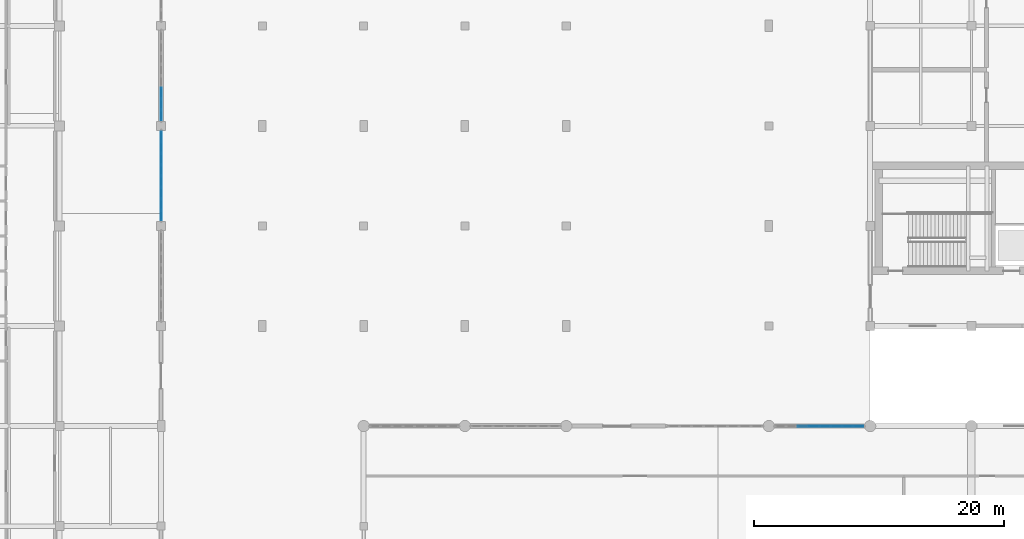
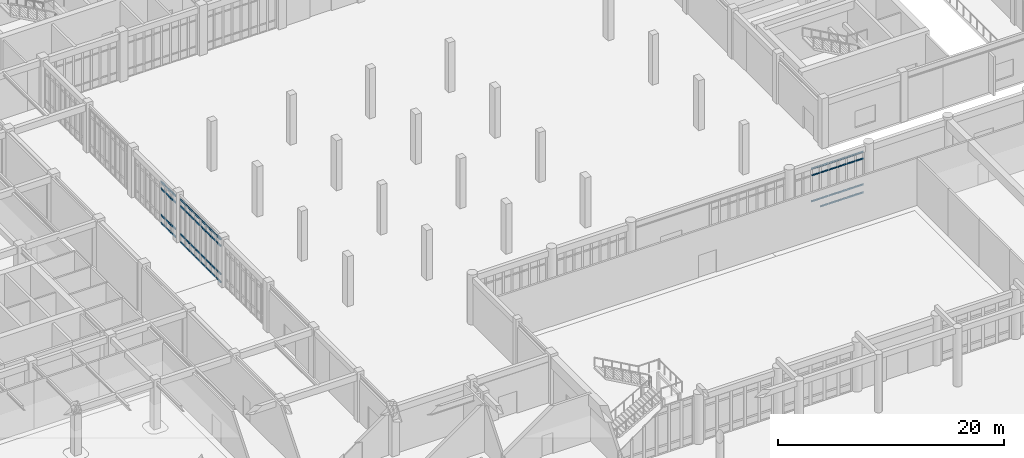
# One storey, part 22 of 62: 67 members, 3 elements without a shape of their own.
"""IFC4 building model written with IfcOpenShell, lengths in metres."""

from ifc_helpers import new_model, si_unit, direction, frame, origin, origin_2d, place, context, subcontext, project, spatial, rectangle, extrude, material, material_profile, profile_set, type_object, element, aggregate, save


model = new_model("IFC4")

# Units and contexts
model_context = context("Model", 3, precision=1e-05, world=origin(), true_north=direction((0.0, 1.0)))
body_context = subcontext(model_context, "Body", "Model", "MODEL_VIEW")
ifc_project = project(units=[si_unit("LENGTHUNIT", "METRE"), si_unit("AREAUNIT", "SQUARE_METRE"), si_unit("VOLUMEUNIT", "CUBIC_METRE"), si_unit("PLANEANGLEUNIT", "RADIAN"), si_unit("MASSUNIT", "GRAM", prefix="KILO")], contexts=[model_context])

# Site, building, storey
site_placement = place(None, origin())
site = spatial("IfcSite", under=ifc_project, at=site_placement, CompositionType="ELEMENT")
building_placement = place(site_placement, origin())
building = spatial("IfcBuilding", under=site, at=building_placement, Name="Tarnveldt Square Police Headquarters", CompositionType="ELEMENT")
storey_placement = place(building_placement, origin())
storey = spatial("IfcBuildingStorey", under=building, at=storey_placement, Name="L00", CompositionType="ELEMENT", Elevation=0.0)

# Curtain wall, members
ifc_material_1 = material(Name="Triple-glazed low-e laminated vision glass", Category="glass")
curtain_wall_type_1 = type_object("IfcCurtainWallType", Name="CW-CT-717x446", PredefinedType="USERDEFINED", material=ifc_material_1)
curtain_wall_1_placement = place(storey_placement, origin())
curtain_wall_1 = element("IfcCurtainWall", 1, at=curtain_wall_1_placement, inside=storey, type_object=curtain_wall_type_1, Name="L00 Curtain Wall CW-L00-017", ObjectType="GLAZED CURTAIN WALL", PredefinedType="USERDEFINED")
ifc_material_2 = material(Name="Thermally broken anodised aluminium 6063-T6", Category="aluminium")
ifc_material_profile = material_profile(ifc_material_2, rectangle(XDim=0.074951171875, YDim=0.14990234375, at=origin_2d()), Name="CW-T75x150")
ifc_profile_set = profile_set([ifc_material_profile], Name="Thermally broken anodised aluminium 6063-T6")
member_type = type_object("IfcMemberType", Name="CWT-75x150", PredefinedType="USERDEFINED", material=ifc_profile_set)
member_1_placement = place(storey_placement, frame((99.4951171875, 48.0, 0.89990234375), z_axis=(1.0, 0.0, 0.0), x_axis=(0.0, 1.0, 0.0)))
member_1 = element("IfcMember", 2, at=member_1_placement, type_object=member_type, Name="CW-CT06 transom 3.2", ObjectType="TRANSOM", PredefinedType="USERDEFINED", context=body_context, shape_type="SweptSolid", body=[
    extrude(rectangle(XDim=0.074951171875, YDim=0.14990234375, at=origin_2d()), origin(), (0.0, 0.0, 1.0), 0.821044921875),
])
member_2_placement = place(storey_placement, frame((99.4951171875, 48.0, 3.7119140625), z_axis=(1.0, 0.0, 0.0), x_axis=(0.0, 1.0, 0.0)))
member_2 = element("IfcMember", 3, at=member_2_placement, type_object=member_type, Name="CW-CT06 transom 3.3", ObjectType="TRANSOM", PredefinedType="USERDEFINED", context=body_context, shape_type="SweptSolid", body=[
    extrude(rectangle(XDim=0.074951171875, YDim=0.14990234375, at=origin_2d()), origin(), (0.0, 0.0, 1.0), 0.821044921875),
])
member_3_placement = place(storey_placement, frame((99.4951171875, 48.0, 4.424560546875), z_axis=(1.0, 0.0, 0.0), x_axis=(0.0, 1.0, 0.0)))
member_3 = element("IfcMember", 4, at=member_3_placement, type_object=member_type, Name="CW-CT06 transom 3.4", ObjectType="TRANSOM", PredefinedType="USERDEFINED", context=body_context, shape_type="SweptSolid", body=[
    extrude(rectangle(XDim=0.074951171875, YDim=0.14990234375, at=origin_2d()), origin(), (0.0, 0.0, 1.0), 0.821044921875),
])
member_4_placement = place(storey_placement, frame((100.391357421875, 48.0, 0.03759765625), z_axis=(1.0, 0.0, 0.0), x_axis=(0.0, 1.0, 0.0)))
member_4 = element("IfcMember", 5, at=member_4_placement, type_object=member_type, Name="CW-CT06 transom 4.1", ObjectType="TRANSOM", PredefinedType="USERDEFINED", context=body_context, shape_type="SweptSolid", body=[
    extrude(rectangle(XDim=0.074951171875, YDim=0.14990234375, at=origin_2d()), origin(), (0.0, 0.0, 1.0), 0.821044921875),
])
member_5_placement = place(storey_placement, frame((100.391357421875, 48.0, 0.89990234375), z_axis=(1.0, 0.0, 0.0), x_axis=(0.0, 1.0, 0.0)))
member_5 = element("IfcMember", 6, at=member_5_placement, type_object=member_type, Name="CW-CT06 transom 4.2", ObjectType="TRANSOM", PredefinedType="USERDEFINED", context=body_context, shape_type="SweptSolid", body=[
    extrude(rectangle(XDim=0.074951171875, YDim=0.14990234375, at=origin_2d()), origin(), (0.0, 0.0, 1.0), 0.821044921875),
])
member_6_placement = place(storey_placement, frame((100.391357421875, 48.0, 3.7119140625), z_axis=(1.0, 0.0, 0.0), x_axis=(0.0, 1.0, 0.0)))
member_6 = element("IfcMember", 7, at=member_6_placement, type_object=member_type, Name="CW-CT06 transom 4.3", ObjectType="TRANSOM", PredefinedType="USERDEFINED", context=body_context, shape_type="SweptSolid", body=[
    extrude(rectangle(XDim=0.074951171875, YDim=0.14990234375, at=origin_2d()), origin(), (0.0, 0.0, 1.0), 0.821044921875),
])
member_7_placement = place(storey_placement, frame((100.391357421875, 48.0, 4.424560546875), z_axis=(1.0, 0.0, 0.0), x_axis=(0.0, 1.0, 0.0)))
member_7 = element("IfcMember", 8, at=member_7_placement, type_object=member_type, Name="CW-CT06 transom 4.4", ObjectType="TRANSOM", PredefinedType="USERDEFINED", context=body_context, shape_type="SweptSolid", body=[
    extrude(rectangle(XDim=0.074951171875, YDim=0.14990234375, at=origin_2d()), origin(), (0.0, 0.0, 1.0), 0.821044921875),
])
member_8_placement = place(storey_placement, frame((101.28759765625, 48.0, 0.03759765625), z_axis=(1.0, 0.0, 0.0), x_axis=(0.0, 1.0, 0.0)))
member_8 = element("IfcMember", 9, at=member_8_placement, type_object=member_type, Name="CW-CT06 transom 5.1", ObjectType="TRANSOM", PredefinedType="USERDEFINED", context=body_context, shape_type="SweptSolid", body=[
    extrude(rectangle(XDim=0.074951171875, YDim=0.14990234375, at=origin_2d()), origin(), (0.0, 0.0, 1.0), 0.821044921875),
])
member_9_placement = place(storey_placement, frame((101.28759765625, 48.0, 0.89990234375), z_axis=(1.0, 0.0, 0.0), x_axis=(0.0, 1.0, 0.0)))
member_9 = element("IfcMember", 10, at=member_9_placement, type_object=member_type, Name="CW-CT06 transom 5.2", ObjectType="TRANSOM", PredefinedType="USERDEFINED", context=body_context, shape_type="SweptSolid", body=[
    extrude(rectangle(XDim=0.074951171875, YDim=0.14990234375, at=origin_2d()), origin(), (0.0, 0.0, 1.0), 0.821044921875),
])
member_10_placement = place(storey_placement, frame((101.28759765625, 48.0, 3.7119140625), z_axis=(1.0, 0.0, 0.0), x_axis=(0.0, 1.0, 0.0)))
member_10 = element("IfcMember", 11, at=member_10_placement, type_object=member_type, Name="CW-CT06 transom 5.3", ObjectType="TRANSOM", PredefinedType="USERDEFINED", context=body_context, shape_type="SweptSolid", body=[
    extrude(rectangle(XDim=0.074951171875, YDim=0.14990234375, at=origin_2d()), origin(), (0.0, 0.0, 1.0), 0.821044921875),
])
member_11_placement = place(storey_placement, frame((101.28759765625, 48.0, 4.424560546875), z_axis=(1.0, 0.0, 0.0), x_axis=(0.0, 1.0, 0.0)))
member_11 = element("IfcMember", 12, at=member_11_placement, type_object=member_type, Name="CW-CT06 transom 5.4", ObjectType="TRANSOM", PredefinedType="USERDEFINED", context=body_context, shape_type="SweptSolid", body=[
    extrude(rectangle(XDim=0.074951171875, YDim=0.14990234375, at=origin_2d()), origin(), (0.0, 0.0, 1.0), 0.821044921875),
])
member_12_placement = place(storey_placement, frame((102.183837890625, 48.0, 0.03759765625), z_axis=(1.0, 0.0, 0.0), x_axis=(0.0, 1.0, 0.0)))
member_12 = element("IfcMember", 13, at=member_12_placement, type_object=member_type, Name="CW-CT06 transom 6.1", ObjectType="TRANSOM", PredefinedType="USERDEFINED", context=body_context, shape_type="SweptSolid", body=[
    extrude(rectangle(XDim=0.074951171875, YDim=0.14990234375, at=origin_2d()), origin(), (0.0, 0.0, 1.0), 0.821044921875),
])
member_13_placement = place(storey_placement, frame((102.183837890625, 48.0, 0.89990234375), z_axis=(1.0, 0.0, 0.0), x_axis=(0.0, 1.0, 0.0)))
member_13 = element("IfcMember", 14, at=member_13_placement, type_object=member_type, Name="CW-CT06 transom 6.2", ObjectType="TRANSOM", PredefinedType="USERDEFINED", context=body_context, shape_type="SweptSolid", body=[
    extrude(rectangle(XDim=0.074951171875, YDim=0.14990234375, at=origin_2d()), origin(), (0.0, 0.0, 1.0), 0.821044921875),
])
member_14_placement = place(storey_placement, frame((102.183837890625, 48.0, 3.7119140625), z_axis=(1.0, 0.0, 0.0), x_axis=(0.0, 1.0, 0.0)))
member_14 = element("IfcMember", 15, at=member_14_placement, type_object=member_type, Name="CW-CT06 transom 6.3", ObjectType="TRANSOM", PredefinedType="USERDEFINED", context=body_context, shape_type="SweptSolid", body=[
    extrude(rectangle(XDim=0.074951171875, YDim=0.14990234375, at=origin_2d()), origin(), (0.0, 0.0, 1.0), 0.821044921875),
])
member_15_placement = place(storey_placement, frame((102.183837890625, 48.0, 4.424560546875), z_axis=(1.0, 0.0, 0.0), x_axis=(0.0, 1.0, 0.0)))
member_15 = element("IfcMember", 16, at=member_15_placement, type_object=member_type, Name="CW-CT06 transom 6.4", ObjectType="TRANSOM", PredefinedType="USERDEFINED", context=body_context, shape_type="SweptSolid", body=[
    extrude(rectangle(XDim=0.074951171875, YDim=0.14990234375, at=origin_2d()), origin(), (0.0, 0.0, 1.0), 0.821044921875),
])
member_16_placement = place(storey_placement, frame((103.080078125, 48.0, 0.03759765625), z_axis=(1.0, 0.0, 0.0), x_axis=(0.0, 1.0, 0.0)))
member_16 = element("IfcMember", 17, at=member_16_placement, type_object=member_type, Name="CW-CT06 transom 7.1", ObjectType="TRANSOM", PredefinedType="USERDEFINED", context=body_context, shape_type="SweptSolid", body=[
    extrude(rectangle(XDim=0.074951171875, YDim=0.14990234375, at=origin_2d()), origin(), (0.0, 0.0, 1.0), 0.8212890625),
])
member_17_placement = place(storey_placement, frame((103.080078125, 48.0, 0.89990234375), z_axis=(1.0, 0.0, 0.0), x_axis=(0.0, 1.0, 0.0)))
member_17 = element("IfcMember", 18, at=member_17_placement, type_object=member_type, Name="CW-CT06 transom 7.2", ObjectType="TRANSOM", PredefinedType="USERDEFINED", context=body_context, shape_type="SweptSolid", body=[
    extrude(rectangle(XDim=0.074951171875, YDim=0.14990234375, at=origin_2d()), origin(), (0.0, 0.0, 1.0), 0.8212890625),
])
member_18_placement = place(storey_placement, frame((103.080078125, 48.0, 3.7119140625), z_axis=(1.0, 0.0, 0.0), x_axis=(0.0, 1.0, 0.0)))
member_18 = element("IfcMember", 19, at=member_18_placement, type_object=member_type, Name="CW-CT06 transom 7.3", ObjectType="TRANSOM", PredefinedType="USERDEFINED", context=body_context, shape_type="SweptSolid", body=[
    extrude(rectangle(XDim=0.074951171875, YDim=0.14990234375, at=origin_2d()), origin(), (0.0, 0.0, 1.0), 0.8212890625),
])
member_19_placement = place(storey_placement, frame((103.080078125, 48.0, 4.424560546875), z_axis=(1.0, 0.0, 0.0), x_axis=(0.0, 1.0, 0.0)))
member_19 = element("IfcMember", 20, at=member_19_placement, type_object=member_type, Name="CW-CT06 transom 7.4", ObjectType="TRANSOM", PredefinedType="USERDEFINED", context=body_context, shape_type="SweptSolid", body=[
    extrude(rectangle(XDim=0.074951171875, YDim=0.14990234375, at=origin_2d()), origin(), (0.0, 0.0, 1.0), 0.8212890625),
])
member_20_placement = place(storey_placement, frame((103.976318359375, 48.0, 0.03759765625), z_axis=(1.0, 0.0, 0.0), x_axis=(0.0, 1.0, 0.0)))
member_20 = element("IfcMember", 21, at=member_20_placement, type_object=member_type, Name="CW-CT06 transom 8.1", ObjectType="TRANSOM", PredefinedType="USERDEFINED", context=body_context, shape_type="SweptSolid", body=[
    extrude(rectangle(XDim=0.074951171875, YDim=0.14990234375, at=origin_2d()), origin(), (0.0, 0.0, 1.0), 0.78369140625),
])
member_21_placement = place(storey_placement, frame((103.976318359375, 48.0, 0.89990234375), z_axis=(1.0, 0.0, 0.0), x_axis=(0.0, 1.0, 0.0)))
member_21 = element("IfcMember", 22, at=member_21_placement, type_object=member_type, Name="CW-CT06 transom 8.2", ObjectType="TRANSOM", PredefinedType="USERDEFINED", context=body_context, shape_type="SweptSolid", body=[
    extrude(rectangle(XDim=0.074951171875, YDim=0.14990234375, at=origin_2d()), origin(), (0.0, 0.0, 1.0), 0.78369140625),
])
member_22_placement = place(storey_placement, frame((103.976318359375, 48.0, 3.7119140625), z_axis=(1.0, 0.0, 0.0), x_axis=(0.0, 1.0, 0.0)))
member_22 = element("IfcMember", 23, at=member_22_placement, type_object=member_type, Name="CW-CT06 transom 8.3", ObjectType="TRANSOM", PredefinedType="USERDEFINED", context=body_context, shape_type="SweptSolid", body=[
    extrude(rectangle(XDim=0.074951171875, YDim=0.14990234375, at=origin_2d()), origin(), (0.0, 0.0, 1.0), 0.78369140625),
])
member_23_placement = place(storey_placement, frame((103.976318359375, 48.0, 4.424560546875), z_axis=(1.0, 0.0, 0.0), x_axis=(0.0, 1.0, 0.0)))
member_23 = element("IfcMember", 24, at=member_23_placement, type_object=member_type, Name="CW-CT06 transom 8.4", ObjectType="TRANSOM", PredefinedType="USERDEFINED", context=body_context, shape_type="SweptSolid", body=[
    extrude(rectangle(XDim=0.074951171875, YDim=0.14990234375, at=origin_2d()), origin(), (0.0, 0.0, 1.0), 0.78369140625),
])
aggregate(curtain_wall_1, [member_1, member_2, member_3, member_4, member_5, member_6, member_7, member_8, member_9, member_10, member_11, member_12, member_13, member_14, member_15, member_16, member_17, member_18, member_19, member_20, member_21, member_22, member_23])

curtain_wall_type_2 = type_object("IfcCurtainWallType", Name="CW-WG-727x470", PredefinedType="USERDEFINED", material=ifc_material_1)
curtain_wall_2_placement = place(storey_placement, origin())
curtain_wall_2 = element("IfcCurtainWall", 25, at=curtain_wall_2_placement, inside=storey, type_object=curtain_wall_type_2, Name="L00 Curtain Wall CW-L00-063", ObjectType="GLAZED CURTAIN WALL", PredefinedType="USERDEFINED")
member_24_placement = place(storey_placement, frame((48.60009765625, 64.449951171875, 0.03759765625), z_axis=(0.0, 1.0, 0.0), x_axis=(-1.0, 0.0, 0.0)))
member_24 = element("IfcMember", 26, at=member_24_placement, type_object=member_type, Name="CW-WG25 transom 1.1", ObjectType="TRANSOM", PredefinedType="USERDEFINED", context=body_context, shape_type="SweptSolid", body=[
    extrude(rectangle(XDim=0.074951171875, YDim=0.14990234375, at=origin_2d()), origin(), (0.0, 0.0, 1.0), 0.78125),
])
member_25_placement = place(storey_placement, frame((48.60009765625, 64.449951171875, 0.89990234375), z_axis=(0.0, 1.0, 0.0), x_axis=(-1.0, 0.0, 0.0)))
member_25 = element("IfcMember", 27, at=member_25_placement, type_object=member_type, Name="CW-WG25 transom 1.2", ObjectType="TRANSOM", PredefinedType="USERDEFINED", context=body_context, shape_type="SweptSolid", body=[
    extrude(rectangle(XDim=0.074951171875, YDim=0.14990234375, at=origin_2d()), origin(), (0.0, 0.0, 1.0), 0.78125),
])
member_26_placement = place(storey_placement, frame((48.60009765625, 64.449951171875, 3.945068359375), z_axis=(0.0, 1.0, 0.0), x_axis=(-1.0, 0.0, 0.0)))
member_26 = element("IfcMember", 28, at=member_26_placement, type_object=member_type, Name="CW-WG25 transom 1.3", ObjectType="TRANSOM", PredefinedType="USERDEFINED", context=body_context, shape_type="SweptSolid", body=[
    extrude(rectangle(XDim=0.074951171875, YDim=0.14990234375, at=origin_2d()), origin(), (0.0, 0.0, 1.0), 0.78125),
])
member_27_placement = place(storey_placement, frame((48.60009765625, 64.449951171875, 4.657470703125), z_axis=(0.0, 1.0, 0.0), x_axis=(-1.0, 0.0, 0.0)))
member_27 = element("IfcMember", 29, at=member_27_placement, type_object=member_type, Name="CW-WG25 transom 1.4", ObjectType="TRANSOM", PredefinedType="USERDEFINED", context=body_context, shape_type="SweptSolid", body=[
    extrude(rectangle(XDim=0.074951171875, YDim=0.14990234375, at=origin_2d()), origin(), (0.0, 0.0, 1.0), 0.78125),
])
member_28_placement = place(storey_placement, frame((48.60009765625, 65.316162109375, 0.03759765625), z_axis=(0.0, 1.0, 0.0), x_axis=(-1.0, 0.0, 0.0)))
member_28 = element("IfcMember", 30, at=member_28_placement, type_object=member_type, Name="CW-WG25 transom 2.1", ObjectType="TRANSOM", PredefinedType="USERDEFINED", context=body_context, shape_type="SweptSolid", body=[
    extrude(rectangle(XDim=0.074951171875, YDim=0.14990234375, at=origin_2d()), origin(), (0.0, 0.0, 1.0), 0.82373046875),
])
member_29_placement = place(storey_placement, frame((48.60009765625, 65.316162109375, 0.89990234375), z_axis=(0.0, 1.0, 0.0), x_axis=(-1.0, 0.0, 0.0)))
member_29 = element("IfcMember", 31, at=member_29_placement, type_object=member_type, Name="CW-WG25 transom 2.2", ObjectType="TRANSOM", PredefinedType="USERDEFINED", context=body_context, shape_type="SweptSolid", body=[
    extrude(rectangle(XDim=0.074951171875, YDim=0.14990234375, at=origin_2d()), origin(), (0.0, 0.0, 1.0), 0.82373046875),
])
member_30_placement = place(storey_placement, frame((48.60009765625, 65.316162109375, 3.945068359375), z_axis=(0.0, 1.0, 0.0), x_axis=(-1.0, 0.0, 0.0)))
member_30 = element("IfcMember", 32, at=member_30_placement, type_object=member_type, Name="CW-WG25 transom 2.3", ObjectType="TRANSOM", PredefinedType="USERDEFINED", context=body_context, shape_type="SweptSolid", body=[
    extrude(rectangle(XDim=0.074951171875, YDim=0.14990234375, at=origin_2d()), origin(), (0.0, 0.0, 1.0), 0.82373046875),
])
member_31_placement = place(storey_placement, frame((48.60009765625, 65.316162109375, 4.657470703125), z_axis=(0.0, 1.0, 0.0), x_axis=(-1.0, 0.0, 0.0)))
member_31 = element("IfcMember", 33, at=member_31_placement, type_object=member_type, Name="CW-WG25 transom 2.4", ObjectType="TRANSOM", PredefinedType="USERDEFINED", context=body_context, shape_type="SweptSolid", body=[
    extrude(rectangle(XDim=0.074951171875, YDim=0.14990234375, at=origin_2d()), origin(), (0.0, 0.0, 1.0), 0.82373046875),
])
member_32_placement = place(storey_placement, frame((48.60009765625, 66.22509765625, 0.03759765625), z_axis=(0.0, 1.0, 0.0), x_axis=(-1.0, 0.0, 0.0)))
member_32 = element("IfcMember", 34, at=member_32_placement, type_object=member_type, Name="CW-WG25 transom 3.1", ObjectType="TRANSOM", PredefinedType="USERDEFINED", context=body_context, shape_type="SweptSolid", body=[
    extrude(rectangle(XDim=0.074951171875, YDim=0.14990234375, at=origin_2d()), origin(), (0.0, 0.0, 1.0), 0.82373046875),
])
member_33_placement = place(storey_placement, frame((48.60009765625, 66.22509765625, 0.89990234375), z_axis=(0.0, 1.0, 0.0), x_axis=(-1.0, 0.0, 0.0)))
member_33 = element("IfcMember", 35, at=member_33_placement, type_object=member_type, Name="CW-WG25 transom 3.2", ObjectType="TRANSOM", PredefinedType="USERDEFINED", context=body_context, shape_type="SweptSolid", body=[
    extrude(rectangle(XDim=0.074951171875, YDim=0.14990234375, at=origin_2d()), origin(), (0.0, 0.0, 1.0), 0.82373046875),
])
member_34_placement = place(storey_placement, frame((48.60009765625, 66.22509765625, 3.945068359375), z_axis=(0.0, 1.0, 0.0), x_axis=(-1.0, 0.0, 0.0)))
member_34 = element("IfcMember", 36, at=member_34_placement, type_object=member_type, Name="CW-WG25 transom 3.3", ObjectType="TRANSOM", PredefinedType="USERDEFINED", context=body_context, shape_type="SweptSolid", body=[
    extrude(rectangle(XDim=0.074951171875, YDim=0.14990234375, at=origin_2d()), origin(), (0.0, 0.0, 1.0), 0.82373046875),
])
member_35_placement = place(storey_placement, frame((48.60009765625, 66.22509765625, 4.657470703125), z_axis=(0.0, 1.0, 0.0), x_axis=(-1.0, 0.0, 0.0)))
member_35 = element("IfcMember", 37, at=member_35_placement, type_object=member_type, Name="CW-WG25 transom 3.4", ObjectType="TRANSOM", PredefinedType="USERDEFINED", context=body_context, shape_type="SweptSolid", body=[
    extrude(rectangle(XDim=0.074951171875, YDim=0.14990234375, at=origin_2d()), origin(), (0.0, 0.0, 1.0), 0.82373046875),
])
member_36_placement = place(storey_placement, frame((48.60009765625, 67.1337890625, 0.03759765625), z_axis=(0.0, 1.0, 0.0), x_axis=(-1.0, 0.0, 0.0)))
member_36 = element("IfcMember", 38, at=member_36_placement, type_object=member_type, Name="CW-WG25 transom 4.1", ObjectType="TRANSOM", PredefinedType="USERDEFINED", context=body_context, shape_type="SweptSolid", body=[
    extrude(rectangle(XDim=0.074951171875, YDim=0.14990234375, at=origin_2d()), origin(), (0.0, 0.0, 1.0), 0.82373046875),
])
member_37_placement = place(storey_placement, frame((48.60009765625, 67.1337890625, 0.89990234375), z_axis=(0.0, 1.0, 0.0), x_axis=(-1.0, 0.0, 0.0)))
member_37 = element("IfcMember", 39, at=member_37_placement, type_object=member_type, Name="CW-WG25 transom 4.2", ObjectType="TRANSOM", PredefinedType="USERDEFINED", context=body_context, shape_type="SweptSolid", body=[
    extrude(rectangle(XDim=0.074951171875, YDim=0.14990234375, at=origin_2d()), origin(), (0.0, 0.0, 1.0), 0.82373046875),
])
member_38_placement = place(storey_placement, frame((48.60009765625, 67.1337890625, 3.945068359375), z_axis=(0.0, 1.0, 0.0), x_axis=(-1.0, 0.0, 0.0)))
member_38 = element("IfcMember", 40, at=member_38_placement, type_object=member_type, Name="CW-WG25 transom 4.3", ObjectType="TRANSOM", PredefinedType="USERDEFINED", context=body_context, shape_type="SweptSolid", body=[
    extrude(rectangle(XDim=0.074951171875, YDim=0.14990234375, at=origin_2d()), origin(), (0.0, 0.0, 1.0), 0.82373046875),
])
member_39_placement = place(storey_placement, frame((48.60009765625, 67.1337890625, 4.657470703125), z_axis=(0.0, 1.0, 0.0), x_axis=(-1.0, 0.0, 0.0)))
member_39 = element("IfcMember", 41, at=member_39_placement, type_object=member_type, Name="CW-WG25 transom 4.4", ObjectType="TRANSOM", PredefinedType="USERDEFINED", context=body_context, shape_type="SweptSolid", body=[
    extrude(rectangle(XDim=0.074951171875, YDim=0.14990234375, at=origin_2d()), origin(), (0.0, 0.0, 1.0), 0.82373046875),
])
member_40_placement = place(storey_placement, frame((48.60009765625, 68.04248046875, 0.03759765625), z_axis=(0.0, 1.0, 0.0), x_axis=(-1.0, 0.0, 0.0)))
member_40 = element("IfcMember", 42, at=member_40_placement, type_object=member_type, Name="CW-WG25 transom 5.1", ObjectType="TRANSOM", PredefinedType="USERDEFINED", context=body_context, shape_type="SweptSolid", body=[
    extrude(rectangle(XDim=0.074951171875, YDim=0.14990234375, at=origin_2d()), origin(), (0.0, 0.0, 1.0), 0.82373046875),
])
member_41_placement = place(storey_placement, frame((48.60009765625, 68.04248046875, 0.89990234375), z_axis=(0.0, 1.0, 0.0), x_axis=(-1.0, 0.0, 0.0)))
member_41 = element("IfcMember", 43, at=member_41_placement, type_object=member_type, Name="CW-WG25 transom 5.2", ObjectType="TRANSOM", PredefinedType="USERDEFINED", context=body_context, shape_type="SweptSolid", body=[
    extrude(rectangle(XDim=0.074951171875, YDim=0.14990234375, at=origin_2d()), origin(), (0.0, 0.0, 1.0), 0.82373046875),
])
member_42_placement = place(storey_placement, frame((48.60009765625, 68.04248046875, 3.945068359375), z_axis=(0.0, 1.0, 0.0), x_axis=(-1.0, 0.0, 0.0)))
member_42 = element("IfcMember", 44, at=member_42_placement, type_object=member_type, Name="CW-WG25 transom 5.3", ObjectType="TRANSOM", PredefinedType="USERDEFINED", context=body_context, shape_type="SweptSolid", body=[
    extrude(rectangle(XDim=0.074951171875, YDim=0.14990234375, at=origin_2d()), origin(), (0.0, 0.0, 1.0), 0.82373046875),
])
member_43_placement = place(storey_placement, frame((48.60009765625, 68.04248046875, 4.657470703125), z_axis=(0.0, 1.0, 0.0), x_axis=(-1.0, 0.0, 0.0)))
member_43 = element("IfcMember", 45, at=member_43_placement, type_object=member_type, Name="CW-WG25 transom 5.4", ObjectType="TRANSOM", PredefinedType="USERDEFINED", context=body_context, shape_type="SweptSolid", body=[
    extrude(rectangle(XDim=0.074951171875, YDim=0.14990234375, at=origin_2d()), origin(), (0.0, 0.0, 1.0), 0.82373046875),
])
member_44_placement = place(storey_placement, frame((48.60009765625, 68.951171875, 0.03759765625), z_axis=(0.0, 1.0, 0.0), x_axis=(-1.0, 0.0, 0.0)))
member_44 = element("IfcMember", 46, at=member_44_placement, type_object=member_type, Name="CW-WG25 transom 6.1", ObjectType="TRANSOM", PredefinedType="USERDEFINED", context=body_context, shape_type="SweptSolid", body=[
    extrude(rectangle(XDim=0.074951171875, YDim=0.14990234375, at=origin_2d()), origin(), (0.0, 0.0, 1.0), 0.82373046875),
])
member_45_placement = place(storey_placement, frame((48.60009765625, 68.951171875, 0.89990234375), z_axis=(0.0, 1.0, 0.0), x_axis=(-1.0, 0.0, 0.0)))
member_45 = element("IfcMember", 47, at=member_45_placement, type_object=member_type, Name="CW-WG25 transom 6.2", ObjectType="TRANSOM", PredefinedType="USERDEFINED", context=body_context, shape_type="SweptSolid", body=[
    extrude(rectangle(XDim=0.074951171875, YDim=0.14990234375, at=origin_2d()), origin(), (0.0, 0.0, 1.0), 0.82373046875),
])
member_46_placement = place(storey_placement, frame((48.60009765625, 68.951171875, 3.945068359375), z_axis=(0.0, 1.0, 0.0), x_axis=(-1.0, 0.0, 0.0)))
member_46 = element("IfcMember", 48, at=member_46_placement, type_object=member_type, Name="CW-WG25 transom 6.3", ObjectType="TRANSOM", PredefinedType="USERDEFINED", context=body_context, shape_type="SweptSolid", body=[
    extrude(rectangle(XDim=0.074951171875, YDim=0.14990234375, at=origin_2d()), origin(), (0.0, 0.0, 1.0), 0.82373046875),
])
member_47_placement = place(storey_placement, frame((48.60009765625, 68.951171875, 4.657470703125), z_axis=(0.0, 1.0, 0.0), x_axis=(-1.0, 0.0, 0.0)))
member_47 = element("IfcMember", 49, at=member_47_placement, type_object=member_type, Name="CW-WG25 transom 6.4", ObjectType="TRANSOM", PredefinedType="USERDEFINED", context=body_context, shape_type="SweptSolid", body=[
    extrude(rectangle(XDim=0.074951171875, YDim=0.14990234375, at=origin_2d()), origin(), (0.0, 0.0, 1.0), 0.82373046875),
])
member_48_placement = place(storey_placement, frame((48.60009765625, 69.860107421875, 0.03759765625), z_axis=(0.0, 1.0, 0.0), x_axis=(-1.0, 0.0, 0.0)))
member_48 = element("IfcMember", 50, at=member_48_placement, type_object=member_type, Name="CW-WG25 transom 7.1", ObjectType="TRANSOM", PredefinedType="USERDEFINED", context=body_context, shape_type="SweptSolid", body=[
    extrude(rectangle(XDim=0.074951171875, YDim=0.14990234375, at=origin_2d()), origin(), (0.0, 0.0, 1.0), 0.82373046875),
])
member_49_placement = place(storey_placement, frame((48.60009765625, 69.860107421875, 0.89990234375), z_axis=(0.0, 1.0, 0.0), x_axis=(-1.0, 0.0, 0.0)))
member_49 = element("IfcMember", 51, at=member_49_placement, type_object=member_type, Name="CW-WG25 transom 7.2", ObjectType="TRANSOM", PredefinedType="USERDEFINED", context=body_context, shape_type="SweptSolid", body=[
    extrude(rectangle(XDim=0.074951171875, YDim=0.14990234375, at=origin_2d()), origin(), (0.0, 0.0, 1.0), 0.82373046875),
])
member_50_placement = place(storey_placement, frame((48.60009765625, 69.860107421875, 3.945068359375), z_axis=(0.0, 1.0, 0.0), x_axis=(-1.0, 0.0, 0.0)))
member_50 = element("IfcMember", 52, at=member_50_placement, type_object=member_type, Name="CW-WG25 transom 7.3", ObjectType="TRANSOM", PredefinedType="USERDEFINED", context=body_context, shape_type="SweptSolid", body=[
    extrude(rectangle(XDim=0.074951171875, YDim=0.14990234375, at=origin_2d()), origin(), (0.0, 0.0, 1.0), 0.82373046875),
])
member_51_placement = place(storey_placement, frame((48.60009765625, 69.860107421875, 4.657470703125), z_axis=(0.0, 1.0, 0.0), x_axis=(-1.0, 0.0, 0.0)))
member_51 = element("IfcMember", 53, at=member_51_placement, type_object=member_type, Name="CW-WG25 transom 7.4", ObjectType="TRANSOM", PredefinedType="USERDEFINED", context=body_context, shape_type="SweptSolid", body=[
    extrude(rectangle(XDim=0.074951171875, YDim=0.14990234375, at=origin_2d()), origin(), (0.0, 0.0, 1.0), 0.82373046875),
])
member_52_placement = place(storey_placement, frame((48.60009765625, 70.768798828125, 0.03759765625), z_axis=(0.0, 1.0, 0.0), x_axis=(-1.0, 0.0, 0.0)))
member_52 = element("IfcMember", 54, at=member_52_placement, type_object=member_type, Name="CW-WG25 transom 8.1", ObjectType="TRANSOM", PredefinedType="USERDEFINED", context=body_context, shape_type="SweptSolid", body=[
    extrude(rectangle(XDim=0.074951171875, YDim=0.14990234375, at=origin_2d()), origin(), (0.0, 0.0, 1.0), 0.78125),
])
member_53_placement = place(storey_placement, frame((48.60009765625, 70.768798828125, 0.89990234375), z_axis=(0.0, 1.0, 0.0), x_axis=(-1.0, 0.0, 0.0)))
member_53 = element("IfcMember", 55, at=member_53_placement, type_object=member_type, Name="CW-WG25 transom 8.2", ObjectType="TRANSOM", PredefinedType="USERDEFINED", context=body_context, shape_type="SweptSolid", body=[
    extrude(rectangle(XDim=0.074951171875, YDim=0.14990234375, at=origin_2d()), origin(), (0.0, 0.0, 1.0), 0.78125),
])
member_54_placement = place(storey_placement, frame((48.60009765625, 70.768798828125, 3.945068359375), z_axis=(0.0, 1.0, 0.0), x_axis=(-1.0, 0.0, 0.0)))
member_54 = element("IfcMember", 56, at=member_54_placement, type_object=member_type, Name="CW-WG25 transom 8.3", ObjectType="TRANSOM", PredefinedType="USERDEFINED", context=body_context, shape_type="SweptSolid", body=[
    extrude(rectangle(XDim=0.074951171875, YDim=0.14990234375, at=origin_2d()), origin(), (0.0, 0.0, 1.0), 0.78125),
])
member_55_placement = place(storey_placement, frame((48.60009765625, 70.768798828125, 4.657470703125), z_axis=(0.0, 1.0, 0.0), x_axis=(-1.0, 0.0, 0.0)))
member_55 = element("IfcMember", 57, at=member_55_placement, type_object=member_type, Name="CW-WG25 transom 8.4", ObjectType="TRANSOM", PredefinedType="USERDEFINED", context=body_context, shape_type="SweptSolid", body=[
    extrude(rectangle(XDim=0.074951171875, YDim=0.14990234375, at=origin_2d()), origin(), (0.0, 0.0, 1.0), 0.78125),
])
aggregate(curtain_wall_2, [member_24, member_25, member_26, member_27, member_28, member_29, member_30, member_31, member_32, member_33, member_34, member_35, member_36, member_37, member_38, member_39, member_40, member_41, member_42, member_43, member_44, member_45, member_46, member_47, member_48, member_49, member_50, member_51, member_52, member_53, member_54, member_55])

curtain_wall_type_3 = type_object("IfcCurtainWallType", Name="CW-WG-727x451", PredefinedType="USERDEFINED", material=ifc_material_1)
curtain_wall_3_placement = place(storey_placement, origin())
curtain_wall_3 = element("IfcCurtainWall", 58, at=curtain_wall_3_placement, inside=storey, type_object=curtain_wall_type_3, Name="L00 Curtain Wall CW-L00-064", ObjectType="GLAZED CURTAIN WALL", PredefinedType="USERDEFINED")
member_56_placement = place(storey_placement, frame((48.60009765625, 72.449951171875, 0.03759765625), z_axis=(0.0, 1.0, 0.0), x_axis=(-1.0, 0.0, 0.0)))
member_56 = element("IfcMember", 59, at=member_56_placement, type_object=member_type, Name="CW-WG24 transom 1.1", ObjectType="TRANSOM", PredefinedType="USERDEFINED", context=body_context, shape_type="SweptSolid", body=[
    extrude(rectangle(XDim=0.074951171875, YDim=0.14990234375, at=origin_2d()), origin(), (0.0, 0.0, 1.0), 0.78125),
])
member_57_placement = place(storey_placement, frame((48.60009765625, 72.449951171875, 0.89990234375), z_axis=(0.0, 1.0, 0.0), x_axis=(-1.0, 0.0, 0.0)))
member_57 = element("IfcMember", 60, at=member_57_placement, type_object=member_type, Name="CW-WG24 transom 1.2", ObjectType="TRANSOM", PredefinedType="USERDEFINED", context=body_context, shape_type="SweptSolid", body=[
    extrude(rectangle(XDim=0.074951171875, YDim=0.14990234375, at=origin_2d()), origin(), (0.0, 0.0, 1.0), 0.78125),
])
member_58_placement = place(storey_placement, frame((48.60009765625, 72.449951171875, 3.761962890625), z_axis=(0.0, 1.0, 0.0), x_axis=(-1.0, 0.0, 0.0)))
member_58 = element("IfcMember", 61, at=member_58_placement, type_object=member_type, Name="CW-WG24 transom 1.3", ObjectType="TRANSOM", PredefinedType="USERDEFINED", context=body_context, shape_type="SweptSolid", body=[
    extrude(rectangle(XDim=0.074951171875, YDim=0.14990234375, at=origin_2d()), origin(), (0.0, 0.0, 1.0), 0.78125),
])
member_59_placement = place(storey_placement, frame((48.60009765625, 72.449951171875, 4.474609375), z_axis=(0.0, 1.0, 0.0), x_axis=(-1.0, 0.0, 0.0)))
member_59 = element("IfcMember", 62, at=member_59_placement, type_object=member_type, Name="CW-WG24 transom 1.4", ObjectType="TRANSOM", PredefinedType="USERDEFINED", context=body_context, shape_type="SweptSolid", body=[
    extrude(rectangle(XDim=0.074951171875, YDim=0.14990234375, at=origin_2d()), origin(), (0.0, 0.0, 1.0), 0.78125),
])
member_60_placement = place(storey_placement, frame((48.60009765625, 73.316162109375, 0.03759765625), z_axis=(0.0, 1.0, 0.0), x_axis=(-1.0, 0.0, 0.0)))
member_60 = element("IfcMember", 63, at=member_60_placement, type_object=member_type, Name="CW-WG24 transom 2.1", ObjectType="TRANSOM", PredefinedType="USERDEFINED", context=body_context, shape_type="SweptSolid", body=[
    extrude(rectangle(XDim=0.074951171875, YDim=0.14990234375, at=origin_2d()), origin(), (0.0, 0.0, 1.0), 0.82373046875),
])
member_61_placement = place(storey_placement, frame((48.60009765625, 73.316162109375, 0.89990234375), z_axis=(0.0, 1.0, 0.0), x_axis=(-1.0, 0.0, 0.0)))
member_61 = element("IfcMember", 64, at=member_61_placement, type_object=member_type, Name="CW-WG24 transom 2.2", ObjectType="TRANSOM", PredefinedType="USERDEFINED", context=body_context, shape_type="SweptSolid", body=[
    extrude(rectangle(XDim=0.074951171875, YDim=0.14990234375, at=origin_2d()), origin(), (0.0, 0.0, 1.0), 0.82373046875),
])
member_62_placement = place(storey_placement, frame((48.60009765625, 73.316162109375, 3.761962890625), z_axis=(0.0, 1.0, 0.0), x_axis=(-1.0, 0.0, 0.0)))
member_62 = element("IfcMember", 65, at=member_62_placement, type_object=member_type, Name="CW-WG24 transom 2.3", ObjectType="TRANSOM", PredefinedType="USERDEFINED", context=body_context, shape_type="SweptSolid", body=[
    extrude(rectangle(XDim=0.074951171875, YDim=0.14990234375, at=origin_2d()), origin(), (0.0, 0.0, 1.0), 0.82373046875),
])
member_63_placement = place(storey_placement, frame((48.60009765625, 73.316162109375, 4.474609375), z_axis=(0.0, 1.0, 0.0), x_axis=(-1.0, 0.0, 0.0)))
member_63 = element("IfcMember", 66, at=member_63_placement, type_object=member_type, Name="CW-WG24 transom 2.4", ObjectType="TRANSOM", PredefinedType="USERDEFINED", context=body_context, shape_type="SweptSolid", body=[
    extrude(rectangle(XDim=0.074951171875, YDim=0.14990234375, at=origin_2d()), origin(), (0.0, 0.0, 1.0), 0.82373046875),
])
member_64_placement = place(storey_placement, frame((48.60009765625, 74.22509765625, 0.03759765625), z_axis=(0.0, 1.0, 0.0), x_axis=(-1.0, 0.0, 0.0)))
member_64 = element("IfcMember", 67, at=member_64_placement, type_object=member_type, Name="CW-WG24 transom 3.1", ObjectType="TRANSOM", PredefinedType="USERDEFINED", context=body_context, shape_type="SweptSolid", body=[
    extrude(rectangle(XDim=0.074951171875, YDim=0.14990234375, at=origin_2d()), origin(), (0.0, 0.0, 1.0), 0.82373046875),
])
member_65_placement = place(storey_placement, frame((48.60009765625, 74.22509765625, 0.89990234375), z_axis=(0.0, 1.0, 0.0), x_axis=(-1.0, 0.0, 0.0)))
member_65 = element("IfcMember", 68, at=member_65_placement, type_object=member_type, Name="CW-WG24 transom 3.2", ObjectType="TRANSOM", PredefinedType="USERDEFINED", context=body_context, shape_type="SweptSolid", body=[
    extrude(rectangle(XDim=0.074951171875, YDim=0.14990234375, at=origin_2d()), origin(), (0.0, 0.0, 1.0), 0.82373046875),
])
member_66_placement = place(storey_placement, frame((48.60009765625, 74.22509765625, 3.761962890625), z_axis=(0.0, 1.0, 0.0), x_axis=(-1.0, 0.0, 0.0)))
member_66 = element("IfcMember", 69, at=member_66_placement, type_object=member_type, Name="CW-WG24 transom 3.3", ObjectType="TRANSOM", PredefinedType="USERDEFINED", context=body_context, shape_type="SweptSolid", body=[
    extrude(rectangle(XDim=0.074951171875, YDim=0.14990234375, at=origin_2d()), origin(), (0.0, 0.0, 1.0), 0.82373046875),
])
member_67_placement = place(storey_placement, frame((48.60009765625, 74.22509765625, 4.474609375), z_axis=(0.0, 1.0, 0.0), x_axis=(-1.0, 0.0, 0.0)))
member_67 = element("IfcMember", 70, at=member_67_placement, type_object=member_type, Name="CW-WG24 transom 3.4", ObjectType="TRANSOM", PredefinedType="USERDEFINED", context=body_context, shape_type="SweptSolid", body=[
    extrude(rectangle(XDim=0.074951171875, YDim=0.14990234375, at=origin_2d()), origin(), (0.0, 0.0, 1.0), 0.82373046875),
])
aggregate(curtain_wall_3, [member_56, member_57, member_58, member_59, member_60, member_61, member_62, member_63, member_64, member_65, member_66, member_67])

save(model, "model.ifc")
